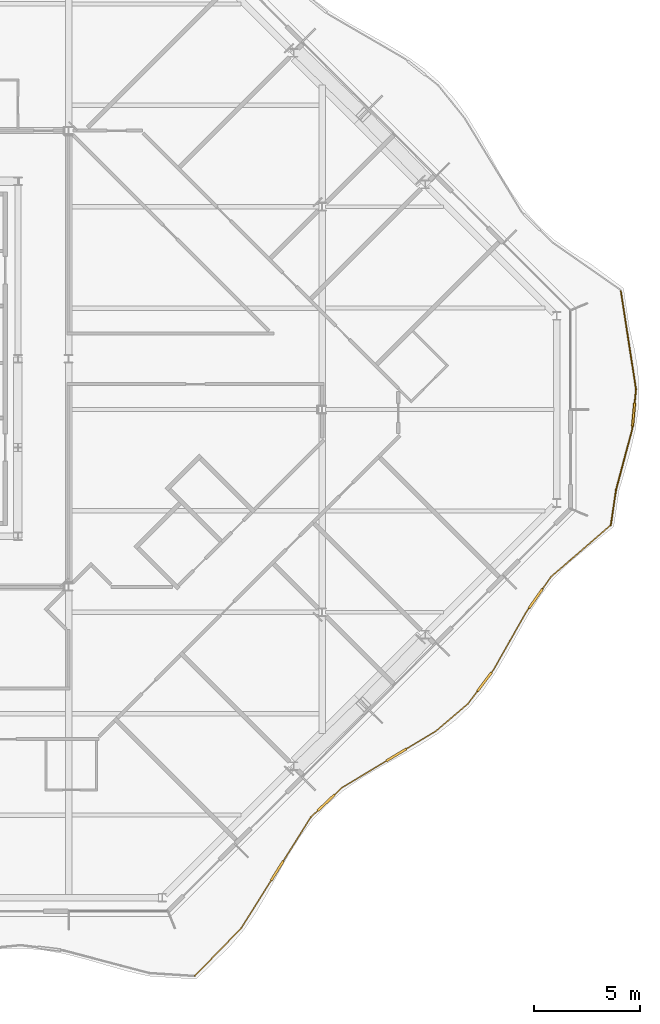
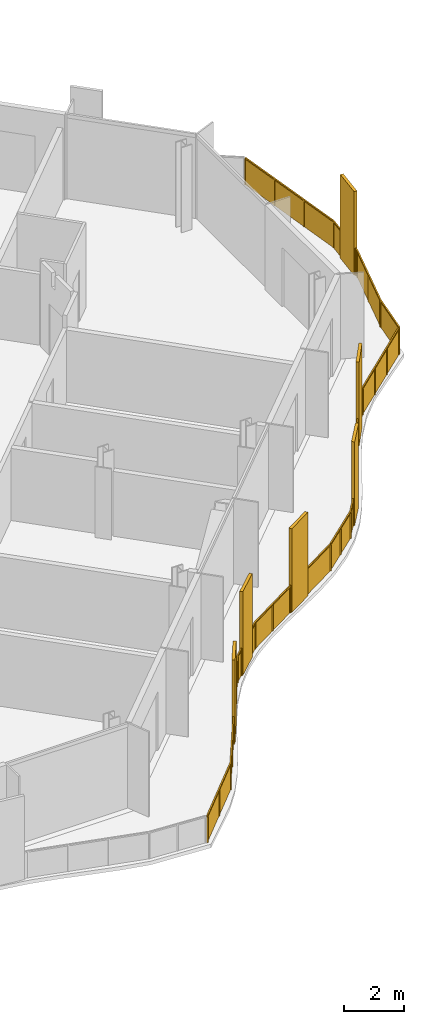
# One storey, part 15 of 17: 2 railings.
"""IFC4 building model written with IfcOpenShell, lengths in metres."""

from ifc_helpers import new_model, si_unit, direction, frame, origin, origin_2d, place, context, subcontext, project, spatial, polyline, rectangle, outline, extrude, material, type_object, element, save


model = new_model("IFC4")

# Units and contexts
model_context = context("Model", 3, precision=1e-05, world=origin(), true_north=direction((0.0, 1.0)))
body_context = subcontext(model_context, "Body", "Model", "MODEL_VIEW")
ifc_project = project(units=[si_unit("LENGTHUNIT", "METRE"), si_unit("AREAUNIT", "SQUARE_METRE"), si_unit("VOLUMEUNIT", "CUBIC_METRE"), si_unit("PLANEANGLEUNIT", "RADIAN"), si_unit("MASSUNIT", "GRAM", prefix="KILO")], contexts=[model_context])

# Site, building, storey
site_placement = place(None, origin())
site = spatial("IfcSite", under=ifc_project, at=site_placement, CompositionType="ELEMENT")
building_placement = place(site_placement, origin())
building = spatial("IfcBuilding", under=site, at=building_placement, Name="Cairn Pilgrim Tower", CompositionType="ELEMENT")
storey_placement = place(building_placement, frame((0.0, 0.0, 250.199951171875)))
storey = spatial("IfcBuildingStorey", under=building, at=storey_placement, Name="L64", CompositionType="ELEMENT", Elevation=250.199951171875)

# Railings
ifc_material = material(Name="Bronze anodised aluminium rail, posts and fin screens with laminated glass infill", Category="aluminium")
railing_type = type_object("IfcRailingType", Name="BALCONY GUARD WITH FIN SCREENS", PredefinedType="GUARDRAIL", material=ifc_material)
railing_1_placement = place(storey_placement, frame((25.16796875, -26.80908203125, 0.0)))
element("IfcRailing", 1, at=railing_1_placement, inside=storey, type_object=railing_type, Name="Balcony guard BGF-1 with fin screens", PredefinedType="GUARDRAIL", context=body_context, shape_type="SweptSolid", body=[
    extrude(rectangle(XDim=0.050048828125, YDim=0.050048828125, at=origin_2d()), frame((0.0, 0.0, 1.0751953125), z_axis=(0.69689377284, 0.717174364696, 0.0), x_axis=(-0.717174364696, 0.69689377284, 0.0)), (0.0, 0.0, 1.0), 3.154052734375),
    extrude(rectangle(XDim=1.10009765625, YDim=0.110107421875, at=origin_2d()), frame((3.90283203125, 4.981689453125, 0.0), z_axis=(0.0, 0.0, 1.0), x_axis=(0.531132233386, 0.84728894166, 0.0)), (0.0, 0.0, 1.0), 3.39990234375),
    extrude(rectangle(XDim=0.050048828125, YDim=0.050048828125, at=origin_2d()), frame((2.197998046875, 2.261962890625, 1.0751953125), z_axis=(0.531132233386, 0.84728894166, 0.0), x_axis=(-0.84728894166, 0.531132233386, 0.0)), (0.0, 0.0, 1.0), 2.659912109375),
    extrude(rectangle(XDim=0.050048828125, YDim=0.050048828125, at=origin_2d()), frame((4.195068359375, 5.44775390625, 1.0751953125), z_axis=(0.531132233386, 0.84728894166, 0.0), x_axis=(-0.84728894166, 0.531132233386, 0.0)), (0.0, 0.0, 1.0), 2.43408203125),
    extrude(rectangle(XDim=1.10009765625, YDim=0.110107421875, at=origin_2d()), frame((6.220703125, 8.202880859375, 0.0), z_axis=(0.0, 0.0, 1.0), x_axis=(0.726738639513, 0.686914077479, 0.0)), (0.0, 0.0, 1.0), 3.39990234375),
    extrude(rectangle(XDim=0.050048828125, YDim=0.050048828125, at=origin_2d()), frame((5.48779296875, 7.510009765625, 1.0751953125), z_axis=(0.726738639513, 0.686914077479, 0.0), x_axis=(-0.686914077479, 0.726738639513, 0.0)), (0.0, 0.0, 1.0), 0.45849609375),
    extrude(rectangle(XDim=0.050048828125, YDim=0.050048828125, at=origin_2d()), frame((6.620361328125, 8.58056640625, 1.0751953125), z_axis=(0.726738639513, 0.686914077479, 0.0), x_axis=(-0.686914077479, 0.726738639513, 0.0)), (0.0, 0.0, 1.0), 0.489013671875),
    extrude(rectangle(XDim=1.10009765625, YDim=0.110107421875, at=origin_2d()), frame((9.53662109375, 10.45947265625, 0.0), z_axis=(0.0, 0.0, 1.0), x_axis=(0.856510744857, 0.516129193074, 0.0)), (0.0, 0.0, 1.0), 3.39990234375),
    extrude(rectangle(XDim=0.050048828125, YDim=0.050048828125, at=origin_2d()), frame((6.975830078125, 8.91650390625, 1.0751953125), z_axis=(0.856510744857, 0.516129193074, 0.0), x_axis=(-0.516129193074, 0.856510744857, 0.0)), (0.0, 0.0, 1.0), 2.439697265625),
    extrude(rectangle(XDim=0.050048828125, YDim=0.050048828125, at=origin_2d()), frame((10.007568359375, 10.743408203125, 1.0751953125), z_axis=(0.856510744857, 0.516129193074, 0.0), x_axis=(-0.516129193074, 0.856510744857, 0.0)), (0.0, 0.0, 1.0), 1.64453125),
    extrude(rectangle(XDim=0.050048828125, YDim=0.050048828125, at=origin_2d()), frame((11.416259765625, 11.59228515625, 1.0751953125), z_axis=(0.760529014976, 0.649303948379, 0.0), x_axis=(-0.649303948379, 0.760529014976, 0.0)), (0.0, 0.0, 1.0), 1.98876953125),
    extrude(rectangle(XDim=1.10009765625, YDim=0.110107421875, at=origin_2d()), frame((13.714111328125, 13.925537109375, 0.0), z_axis=(0.0, 0.0, 1.0), x_axis=(0.601907640053, 0.798565709786, 0.0)), (0.0, 0.0, 1.0), 3.39990234375),
    extrude(rectangle(XDim=0.050048828125, YDim=0.050048828125, at=origin_2d()), frame((12.9287109375, 12.883544921875, 1.0751953125), z_axis=(0.601907640053, 0.798565709786, 0.0), x_axis=(-0.798565709786, 0.601907640053, 0.0)), (0.0, 0.0, 1.0), 0.7548828125),
    extrude(rectangle(XDim=0.050048828125, YDim=0.050048828125, at=origin_2d()), frame((14.045166015625, 14.36474609375, 1.0751953125), z_axis=(0.601907640053, 0.798565709786, 0.0), x_axis=(-0.798565709786, 0.601907640053, 0.0)), (0.0, 0.0, 1.0), 0.150146484375),
    extrude(rectangle(XDim=0.050048828125, YDim=0.050048828125, at=origin_2d()), frame((14.135498046875, 14.484619140625, 1.0751953125), z_axis=(0.492823501293, 0.870129298767, 0.0), x_axis=(-0.870129298767, 0.492823501293, 0.0)), (0.0, 0.0, 1.0), 3.1279296875),
    extrude(rectangle(XDim=1.10009765625, YDim=0.110107421875, at=origin_2d()), frame((16.137451171875, 17.862060546875, 0.0), z_axis=(0.0, 0.0, 1.0), x_axis=(0.57467417094, 0.818382305072, 0.0)), (0.0, 0.0, 1.0), 3.39990234375),
    extrude(rectangle(XDim=0.050048828125, YDim=0.050048828125, at=origin_2d()), frame((15.677001953125, 17.206298828125, 1.0751953125), z_axis=(0.57467417094, 0.818382305072, 0.0), x_axis=(-0.818382305072, 0.57467417094, 0.0)), (0.0, 0.0, 1.0), 0.251220703125),
    extrude(rectangle(XDim=0.050048828125, YDim=0.050048828125, at=origin_2d()), frame((16.453369140625, 18.31201171875, 1.0751953125), z_axis=(0.57467417094, 0.818382305072, 0.0), x_axis=(-0.818382305072, 0.57467417094, 0.0)), (0.0, 0.0, 1.0), 0.716552734375),
    extrude(rectangle(XDim=0.050048828125, YDim=0.050048828125, at=origin_2d()), frame((16.865234375, 18.8984375, 1.0751953125), z_axis=(0.756383607445, 0.654128304225, 0.0), x_axis=(-0.654128304225, 0.756383607445, 0.0)), (0.0, 0.0, 1.0), 3.674560546875),
    extrude(rectangle(XDim=0.050048828125, YDim=0.050048828125, at=origin_2d()), origin(), (0.0, 0.0, 1.0), 1.050048828125),
    extrude(rectangle(XDim=0.050048828125, YDim=0.050048828125, at=origin_2d()), frame((1.09912109375, 1.130859375, 0.0)), (0.0, 0.0, 1.0), 1.050048828125),
    extrude(rectangle(XDim=0.050048828125, YDim=0.050048828125, at=origin_2d()), frame((2.197998046875, 2.261962890625, 0.0)), (0.0, 0.0, 1.0), 1.050048828125),
    extrude(rectangle(XDim=0.050048828125, YDim=0.050048828125, at=origin_2d()), frame((2.897705078125, 3.378173828125, 0.0)), (0.0, 0.0, 1.0), 1.050048828125),
    extrude(rectangle(XDim=0.050048828125, YDim=0.050048828125, at=origin_2d()), frame((3.597412109375, 4.494384765625, 0.0)), (0.0, 0.0, 1.0), 1.050048828125),
    extrude(rectangle(XDim=0.050048828125, YDim=0.050048828125, at=origin_2d()), frame((4.208251953125, 5.468994140625, 0.0)), (0.0, 0.0, 1.0), 1.050048828125),
    extrude(rectangle(XDim=0.050048828125, YDim=0.050048828125, at=origin_2d()), frame((4.84814453125, 6.489501953125, 0.0)), (0.0, 0.0, 1.0), 1.050048828125),
    extrude(rectangle(XDim=0.050048828125, YDim=0.050048828125, at=origin_2d()), frame((5.48779296875, 7.510009765625, 0.0)), (0.0, 0.0, 1.0), 1.050048828125),
    extrude(rectangle(XDim=0.050048828125, YDim=0.050048828125, at=origin_2d()), frame((5.802978515625, 7.807861328125, 0.0)), (0.0, 0.0, 1.0), 1.050048828125),
    extrude(rectangle(XDim=0.050048828125, YDim=0.050048828125, at=origin_2d()), frame((6.638671875, 8.597900390625, 0.0)), (0.0, 0.0, 1.0), 1.050048828125),
    extrude(rectangle(XDim=0.050048828125, YDim=0.050048828125, at=origin_2d()), frame((6.975830078125, 8.91650390625, 0.0)), (0.0, 0.0, 1.0), 1.050048828125),
    extrude(rectangle(XDim=0.050048828125, YDim=0.050048828125, at=origin_2d()), frame((8.010009765625, 9.53955078125, 0.0)), (0.0, 0.0, 1.0), 1.050048828125),
    extrude(rectangle(XDim=0.050048828125, YDim=0.050048828125, at=origin_2d()), frame((9.0439453125, 10.162841796875, 0.0)), (0.0, 0.0, 1.0), 1.050048828125),
    extrude(rectangle(XDim=0.050048828125, YDim=0.050048828125, at=origin_2d()), frame((10.029052734375, 10.75634765625, 0.0)), (0.0, 0.0, 1.0), 1.050048828125),
    extrude(rectangle(XDim=0.050048828125, YDim=0.050048828125, at=origin_2d()), frame((11.416259765625, 11.59228515625, 0.0)), (0.0, 0.0, 1.0), 1.050048828125),
    extrude(rectangle(XDim=0.050048828125, YDim=0.050048828125, at=origin_2d()), frame((12.17236328125, 12.23779296875, 0.0)), (0.0, 0.0, 1.0), 1.050048828125),
    extrude(rectangle(XDim=0.050048828125, YDim=0.050048828125, at=origin_2d()), frame((12.9287109375, 12.883544921875, 0.0)), (0.0, 0.0, 1.0), 1.050048828125),
    extrude(rectangle(XDim=0.050048828125, YDim=0.050048828125, at=origin_2d()), frame((13.367919921875, 13.46630859375, 0.0)), (0.0, 0.0, 1.0), 1.050048828125),
    extrude(rectangle(XDim=0.050048828125, YDim=0.050048828125, at=origin_2d()), frame((14.060302734375, 14.384765625, 0.0)), (0.0, 0.0, 1.0), 1.050048828125),
    extrude(rectangle(XDim=0.050048828125, YDim=0.050048828125, at=origin_2d()), frame((14.135498046875, 14.484619140625, 0.0)), (0.0, 0.0, 1.0), 1.050048828125),
    extrude(rectangle(XDim=0.050048828125, YDim=0.050048828125, at=origin_2d()), frame((14.90625, 15.845458984375, 0.0)), (0.0, 0.0, 1.0), 1.050048828125),
    extrude(rectangle(XDim=0.050048828125, YDim=0.050048828125, at=origin_2d()), frame((15.677001953125, 17.206298828125, 0.0)), (0.0, 0.0, 1.0), 1.050048828125),
    extrude(rectangle(XDim=0.050048828125, YDim=0.050048828125, at=origin_2d()), frame((15.806884765625, 17.391357421875, 0.0)), (0.0, 0.0, 1.0), 1.050048828125),
    extrude(rectangle(XDim=0.050048828125, YDim=0.050048828125, at=origin_2d()), frame((16.4677734375, 18.33251953125, 0.0)), (0.0, 0.0, 1.0), 1.050048828125),
    extrude(rectangle(XDim=0.050048828125, YDim=0.050048828125, at=origin_2d()), frame((16.865234375, 18.8984375, 0.0)), (0.0, 0.0, 1.0), 1.050048828125),
    extrude(rectangle(XDim=0.050048828125, YDim=0.050048828125, at=origin_2d()), frame((17.791748046875, 19.69970703125, 0.0)), (0.0, 0.0, 1.0), 1.050048828125),
    extrude(rectangle(XDim=0.050048828125, YDim=0.050048828125, at=origin_2d()), frame((18.718017578125, 20.500732421875, 0.0)), (0.0, 0.0, 1.0), 1.050048828125),
    extrude(rectangle(XDim=0.050048828125, YDim=0.050048828125, at=origin_2d()), frame((19.64453125, 21.302001953125, 0.0)), (0.0, 0.0, 1.0), 1.050048828125),
    extrude(outline(polyline([(0.02490234375, 0.0), (1.552001953125, 0.0), (1.552001953125, 1.050048828125), (0.02490234375, 1.050048828125), (0.02490234375, 0.0)])), frame((-0.00439453125, 0.004150390625, 0.0), z_axis=(0.717174364696, -0.69689377284, 0.0), x_axis=(0.69689377284, 0.717174364696, 0.0)), (0.0, 0.0, 1.0), 0.011962890625),
    extrude(outline(polyline([(0.02490234375, 0.0), (1.552001953125, 0.0), (1.552001953125, 1.050048828125), (0.02490234375, 1.050048828125), (0.02490234375, 0.0)])), frame((1.0947265625, 1.13525390625, 0.0), z_axis=(0.717174364696, -0.69689377284, 0.0), x_axis=(0.69689377284, 0.717174364696, 0.0)), (0.0, 0.0, 1.0), 0.011962890625),
    extrude(outline(polyline([(0.02490234375, 0.0), (1.29248046875, 0.0), (1.29248046875, 1.050048828125), (0.02490234375, 1.050048828125), (0.02490234375, 0.0)])), frame((2.19287109375, 2.26513671875, 0.0), z_axis=(0.84728894166, -0.531132233386, 0.0), x_axis=(0.531132233386, 0.84728894166, 0.0)), (0.0, 0.0, 1.0), 0.011962890625),
    extrude(outline(polyline([(0.02490234375, 0.0), (1.29248046875, 0.0), (1.29248046875, 1.050048828125), (0.02490234375, 1.050048828125), (0.02490234375, 0.0)])), frame((2.892578125, 3.38134765625, 0.0), z_axis=(0.84728894166, -0.531132233386, 0.0), x_axis=(0.531132233386, 0.84728894166, 0.0)), (0.0, 0.0, 1.0), 0.011962890625),
    extrude(outline(polyline([(0.02490234375, 0.0), (1.179443359375, 0.0), (1.179443359375, 1.050048828125), (0.02490234375, 1.050048828125), (0.02490234375, 0.0)])), frame((4.203125, 5.47216796875, 0.0), z_axis=(0.84728894166, -0.531132233386, 0.0), x_axis=(0.531132233386, 0.84728894166, 0.0)), (0.0, 0.0, 1.0), 0.011962890625),
    extrude(outline(polyline([(0.02490234375, 0.0), (1.179443359375, 0.0), (1.179443359375, 1.050048828125), (0.02490234375, 1.050048828125), (0.02490234375, 0.0)])), frame((4.843017578125, 6.49267578125, 0.0), z_axis=(0.84728894166, -0.531132233386, 0.0), x_axis=(0.531132233386, 0.84728894166, 0.0)), (0.0, 0.0, 1.0), 0.011962890625),
    extrude(outline(polyline([(0.02490234375, 0.0), (0.408447265625, 0.0), (0.408447265625, 1.050048828125), (0.02490234375, 1.050048828125), (0.02490234375, 0.0)])), frame((5.483642578125, 7.514404296875, 0.0), z_axis=(0.686914077479, -0.726738639513, 0.0), x_axis=(0.726738639513, 0.686914077479, 0.0)), (0.0, 0.0, 1.0), 0.011962890625),
    extrude(outline(polyline([(0.02490234375, 0.0), (0.43896484375, 0.0), (0.43896484375, 1.050048828125), (0.02490234375, 1.050048828125), (0.02490234375, 0.0)])), frame((6.634521484375, 8.60205078125, 0.0), z_axis=(0.686914077479, -0.726738639513, 0.0), x_axis=(0.726738639513, 0.686914077479, 0.0)), (0.0, 0.0, 1.0), 0.011962890625),
    extrude(outline(polyline([(0.02490234375, 0.0), (1.182373046875, 0.0), (1.182373046875, 1.050048828125), (0.02490234375, 1.050048828125), (0.02490234375, 0.0)])), frame((6.97265625, 8.921630859375, 0.0), z_axis=(0.516129193074, -0.856510744857, 0.0), x_axis=(0.856510744857, 0.516129193074, 0.0)), (0.0, 0.0, 1.0), 0.011962890625),
    extrude(outline(polyline([(0.02490234375, 0.0), (1.182373046875, 0.0), (1.182373046875, 1.050048828125), (0.02490234375, 1.050048828125), (0.02490234375, 0.0)])), frame((8.0068359375, 9.544677734375, 0.0), z_axis=(0.516129193074, -0.856510744857, 0.0), x_axis=(0.856510744857, 0.516129193074, 0.0)), (0.0, 0.0, 1.0), 0.011962890625),
    extrude(outline(polyline([(0.02490234375, 0.0), (1.594482421875, 0.0), (1.594482421875, 1.050048828125), (0.02490234375, 1.050048828125), (0.02490234375, 0.0)])), frame((10.02587890625, 10.761474609375, 0.0), z_axis=(0.516129193074, -0.856510744857, 0.0), x_axis=(0.856510744857, 0.516129193074, 0.0)), (0.0, 0.0, 1.0), 0.011962890625),
    extrude(outline(polyline([(0.02490234375, 0.0), (0.96923828125, 0.0), (0.96923828125, 1.050048828125), (0.02490234375, 1.050048828125), (0.02490234375, 0.0)])), frame((11.412353515625, 11.596923828125, 0.0), z_axis=(0.649303948379, -0.760529014976, 0.0), x_axis=(0.760529014976, 0.649303948379, 0.0)), (0.0, 0.0, 1.0), 0.011962890625),
    extrude(outline(polyline([(0.02490234375, 0.0), (0.96923828125, 0.0), (0.96923828125, 1.050048828125), (0.02490234375, 1.050048828125), (0.02490234375, 0.0)])), frame((12.168701171875, 12.242431640625, 0.0), z_axis=(0.649303948379, -0.760529014976, 0.0), x_axis=(0.760529014976, 0.649303948379, 0.0)), (0.0, 0.0, 1.0), 0.011962890625),
    extrude(outline(polyline([(0.02490234375, 0.0), (0.704833984375, 0.0), (0.704833984375, 1.050048828125), (0.02490234375, 1.050048828125), (0.02490234375, 0.0)])), frame((12.923828125, 12.88720703125, 0.0), z_axis=(0.798565709786, -0.601907640053, 0.0), x_axis=(0.601907640053, 0.798565709786, 0.0)), (0.0, 0.0, 1.0), 0.011962890625),
    extrude(outline(polyline([(0.02490234375, 0.0), (0.10009765625, 0.0), (0.10009765625, 1.050048828125), (0.02490234375, 1.050048828125), (0.02490234375, 0.0)])), frame((14.055419921875, 14.388427734375, 0.0), z_axis=(0.798565709786, -0.601907640053, 0.0), x_axis=(0.601907640053, 0.798565709786, 0.0)), (0.0, 0.0, 1.0), 0.011962890625),
    extrude(outline(polyline([(0.02490234375, 0.0), (1.538818359375, 0.0), (1.538818359375, 1.050048828125), (0.02490234375, 1.050048828125), (0.02490234375, 0.0)])), frame((14.13037109375, 14.487548828125, 0.0), z_axis=(0.870129298767, -0.492823501293, 0.0), x_axis=(0.492823501293, 0.870129298767, 0.0)), (0.0, 0.0, 1.0), 0.011962890625),
    extrude(outline(polyline([(0.02490234375, 0.0), (1.538818359375, 0.0), (1.538818359375, 1.050048828125), (0.02490234375, 1.050048828125), (0.02490234375, 0.0)])), frame((14.901123046875, 15.848388671875, 0.0), z_axis=(0.870129298767, -0.492823501293, 0.0), x_axis=(0.492823501293, 0.870129298767, 0.0)), (0.0, 0.0, 1.0), 0.011962890625),
    extrude(outline(polyline([(0.02490234375, 0.0), (0.201171875, 0.0), (0.201171875, 1.050048828125), (0.02490234375, 1.050048828125), (0.02490234375, 0.0)])), frame((15.672119140625, 17.209716796875, 0.0), z_axis=(0.818382305072, -0.57467417094, 0.0), x_axis=(0.57467417094, 0.818382305072, 0.0)), (0.0, 0.0, 1.0), 0.011962890625),
    extrude(outline(polyline([(0.02490234375, 0.0), (0.66650390625, 0.0), (0.66650390625, 1.050048828125), (0.02490234375, 1.050048828125), (0.02490234375, 0.0)])), frame((16.462890625, 18.3359375, 0.0), z_axis=(0.818382305072, -0.57467417094, 0.0), x_axis=(0.57467417094, 0.818382305072, 0.0)), (0.0, 0.0, 1.0), 0.011962890625),
    extrude(outline(polyline([(0.02490234375, 0.0), (1.19970703125, 0.0), (1.19970703125, 1.050048828125), (0.02490234375, 1.050048828125), (0.02490234375, 0.0)])), frame((16.861328125, 18.903076171875, 0.0), z_axis=(0.654128304225, -0.756383607445, 0.0), x_axis=(0.756383607445, 0.654128304225, 0.0)), (0.0, 0.0, 1.0), 0.011962890625),
    extrude(outline(polyline([(0.02490234375, 0.0), (1.19970703125, 0.0), (1.19970703125, 1.050048828125), (0.02490234375, 1.050048828125), (0.02490234375, 0.0)])), frame((17.787841796875, 19.7041015625, 0.0), z_axis=(0.654128304225, -0.756383607445, 0.0), x_axis=(0.756383607445, 0.654128304225, 0.0)), (0.0, 0.0, 1.0), 0.011962890625),
    extrude(outline(polyline([(0.02490234375, 0.0), (1.19970703125, 0.0), (1.19970703125, 1.050048828125), (0.02490234375, 1.050048828125), (0.02490234375, 0.0)])), frame((18.714111328125, 20.50537109375, 0.0), z_axis=(0.654128304225, -0.756383607445, 0.0), x_axis=(0.756383607445, 0.654128304225, 0.0)), (0.0, 0.0, 1.0), 0.011962890625),
])
railing_2_placement = place(storey_placement, frame((44.857666015625, -5.4677734375, 0.0)))
element("IfcRailing", 2, at=railing_2_placement, inside=storey, type_object=railing_type, Name="Balcony guard BGF-2 with fin screens", PredefinedType="GUARDRAIL", context=body_context, shape_type="SweptSolid", body=[
    extrude(rectangle(XDim=0.050048828125, YDim=0.050048828125, at=origin_2d()), frame((0.0, 0.0, 1.0751953125), z_axis=(0.146374469826, 0.989229252794, 0.0), x_axis=(-0.989229252794, 0.146374469826, 0.0)), (0.0, 0.0, 1.0), 1.67626953125),
    extrude(rectangle(XDim=0.050048828125, YDim=0.050048828125, at=origin_2d()), frame((0.245361328125, 1.658203125, 1.0751953125), z_axis=(0.257922964937, 0.966165484872, 0.0), x_axis=(-0.966165484872, 0.257922964937, 0.0)), (0.0, 0.0, 1.0), 2.97705078125),
    extrude(rectangle(XDim=1.10009765625, YDim=0.110107421875, at=origin_2d()), frame((1.07861328125, 5.231201171875, 0.0), z_axis=(0.0, 0.0, 1.0), x_axis=(0.093424421333, 0.995626374449, 0.0)), (0.0, 0.0, 1.0), 3.39990234375),
    extrude(rectangle(XDim=0.050048828125, YDim=0.050048828125, at=origin_2d()), frame((1.01318359375, 4.534423828125, 1.0751953125), z_axis=(0.093424421333, 0.995626374449, 0.0), x_axis=(-0.995626374449, 0.093424421333, 0.0)), (0.0, 0.0, 1.0), 0.14990234375),
    extrude(rectangle(XDim=0.050048828125, YDim=0.050048828125, at=origin_2d()), frame((1.1298828125, 5.77880859375, 1.0751953125), z_axis=(0.093424421333, 0.995626374449, 0.0), x_axis=(-0.995626374449, 0.093424421333, 0.0)), (0.0, 0.0, 1.0), 0.6474609375),
    extrude(rectangle(XDim=0.050048828125, YDim=0.050048828125, at=origin_2d()), frame((1.1904296875, 6.42333984375, 1.0751953125), z_axis=(-0.152115842917, 0.988362671459, 0.0), x_axis=(-0.988362671459, -0.152115842917, 0.0)), (0.0, 0.0, 1.0), 4.69140625),
    extrude(rectangle(XDim=0.050048828125, YDim=0.050048828125, at=origin_2d()), origin(), (0.0, 0.0, 1.0), 1.050048828125),
    extrude(rectangle(XDim=0.050048828125, YDim=0.050048828125, at=origin_2d()), frame((0.245361328125, 1.658203125, 0.0)), (0.0, 0.0, 1.0), 1.050048828125),
    extrude(rectangle(XDim=0.050048828125, YDim=0.050048828125, at=origin_2d()), frame((0.62939453125, 3.09619140625, 0.0)), (0.0, 0.0, 1.0), 1.050048828125),
    extrude(rectangle(XDim=0.050048828125, YDim=0.050048828125, at=origin_2d()), frame((1.01318359375, 4.534423828125, 0.0)), (0.0, 0.0, 1.0), 1.050048828125),
    extrude(rectangle(XDim=0.050048828125, YDim=0.050048828125, at=origin_2d()), frame((1.02490234375, 4.65869140625, 0.0)), (0.0, 0.0, 1.0), 1.050048828125),
    extrude(rectangle(XDim=0.050048828125, YDim=0.050048828125, at=origin_2d()), frame((1.13232421875, 5.8037109375, 0.0)), (0.0, 0.0, 1.0), 1.050048828125),
    extrude(rectangle(XDim=0.050048828125, YDim=0.050048828125, at=origin_2d()), frame((1.1904296875, 6.42333984375, 0.0)), (0.0, 0.0, 1.0), 1.050048828125),
    extrude(rectangle(XDim=0.050048828125, YDim=0.050048828125, at=origin_2d()), frame((0.95263671875, 7.968994140625, 0.0)), (0.0, 0.0, 1.0), 1.050048828125),
    extrude(rectangle(XDim=0.050048828125, YDim=0.050048828125, at=origin_2d()), frame((0.714599609375, 9.514404296875, 0.0)), (0.0, 0.0, 1.0), 1.050048828125),
    extrude(rectangle(XDim=0.050048828125, YDim=0.050048828125, at=origin_2d()), frame((0.476806640625, 11.06005859375, 0.0)), (0.0, 0.0, 1.0), 1.050048828125),
    extrude(outline(polyline([(0.02490234375, 0.0), (1.651123046875, 0.0), (1.651123046875, 1.050048828125), (0.02490234375, 1.050048828125), (0.02490234375, 0.0)])), frame((-0.005859375, 0.0009765625, 0.0), z_axis=(0.989229252794, -0.146374469826, 0.0), x_axis=(0.146374469826, 0.989229252794, 0.0)), (0.0, 0.0, 1.0), 0.011962890625),
    extrude(outline(polyline([(0.02490234375, 0.0), (1.46337890625, 0.0), (1.46337890625, 1.050048828125), (0.02490234375, 1.050048828125), (0.02490234375, 0.0)])), frame((0.239501953125, 1.65966796875, 0.0), z_axis=(0.966165484872, -0.257922964937, 0.0), x_axis=(0.257922964937, 0.966165484872, 0.0)), (0.0, 0.0, 1.0), 0.011962890625),
    extrude(outline(polyline([(0.02490234375, 0.0), (1.46337890625, 0.0), (1.46337890625, 1.050048828125), (0.02490234375, 1.050048828125), (0.02490234375, 0.0)])), frame((0.62353515625, 3.097900390625, 0.0), z_axis=(0.966165484872, -0.257922964937, 0.0), x_axis=(0.257922964937, 0.966165484872, 0.0)), (0.0, 0.0, 1.0), 0.011962890625),
    extrude(outline(polyline([(0.02490234375, 0.0), (0.099853515625, 0.0), (0.099853515625, 1.050048828125), (0.02490234375, 1.050048828125), (0.02490234375, 0.0)])), frame((1.00732421875, 4.534912109375, 0.0), z_axis=(0.995626374449, -0.093424421333, 0.0), x_axis=(0.093424421333, 0.995626374449, 0.0)), (0.0, 0.0, 1.0), 0.011962890625),
    extrude(outline(polyline([(0.02490234375, 0.0), (0.597412109375, 0.0), (0.597412109375, 1.050048828125), (0.02490234375, 1.050048828125), (0.02490234375, 0.0)])), frame((1.126220703125, 5.80419921875, 0.0), z_axis=(0.995626374449, -0.093424421333, 0.0), x_axis=(0.093424421333, 0.995626374449, 0.0)), (0.0, 0.0, 1.0), 0.011962890625),
    extrude(outline(polyline([(0.02490234375, 0.0), (1.538818359375, 0.0), (1.538818359375, 1.050048828125), (0.02490234375, 1.050048828125), (0.02490234375, 0.0)])), frame((1.1845703125, 6.42236328125, 0.0), z_axis=(0.988362671459, 0.152115842917, 0.0), x_axis=(-0.152115842917, 0.988362671459, 0.0)), (0.0, 0.0, 1.0), 0.011962890625),
    extrude(outline(polyline([(0.02490234375, 0.0), (1.538818359375, 0.0), (1.538818359375, 1.050048828125), (0.02490234375, 1.050048828125), (0.02490234375, 0.0)])), frame((0.946533203125, 7.968017578125, 0.0), z_axis=(0.988362671459, 0.152115842917, 0.0), x_axis=(-0.152115842917, 0.988362671459, 0.0)), (0.0, 0.0, 1.0), 0.011962890625),
    extrude(outline(polyline([(0.02490234375, 0.0), (1.538818359375, 0.0), (1.538818359375, 1.050048828125), (0.02490234375, 1.050048828125), (0.02490234375, 0.0)])), frame((0.708740234375, 9.513671875, 0.0), z_axis=(0.988362671459, 0.152115842917, 0.0), x_axis=(-0.152115842917, 0.988362671459, 0.0)), (0.0, 0.0, 1.0), 0.011962890625),
])

save(model, "model.ifc")
